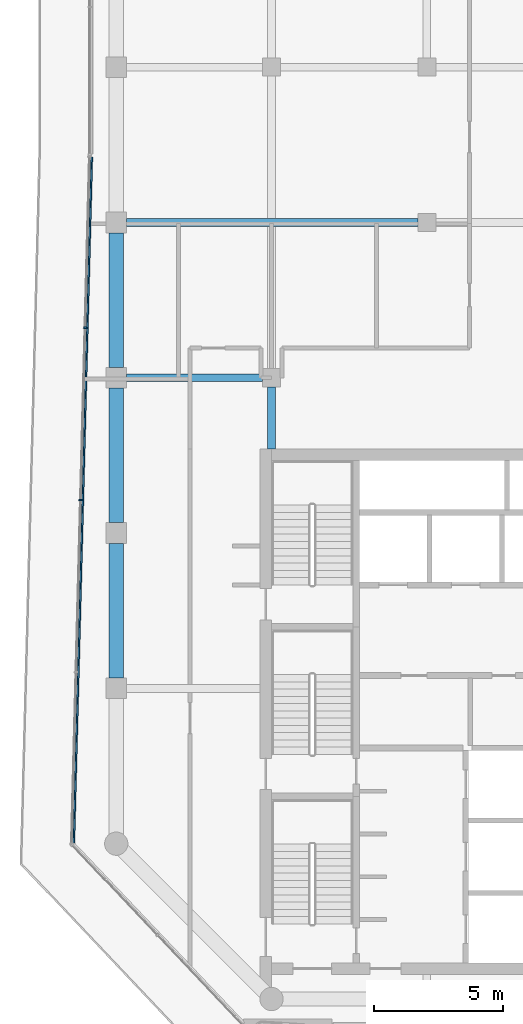
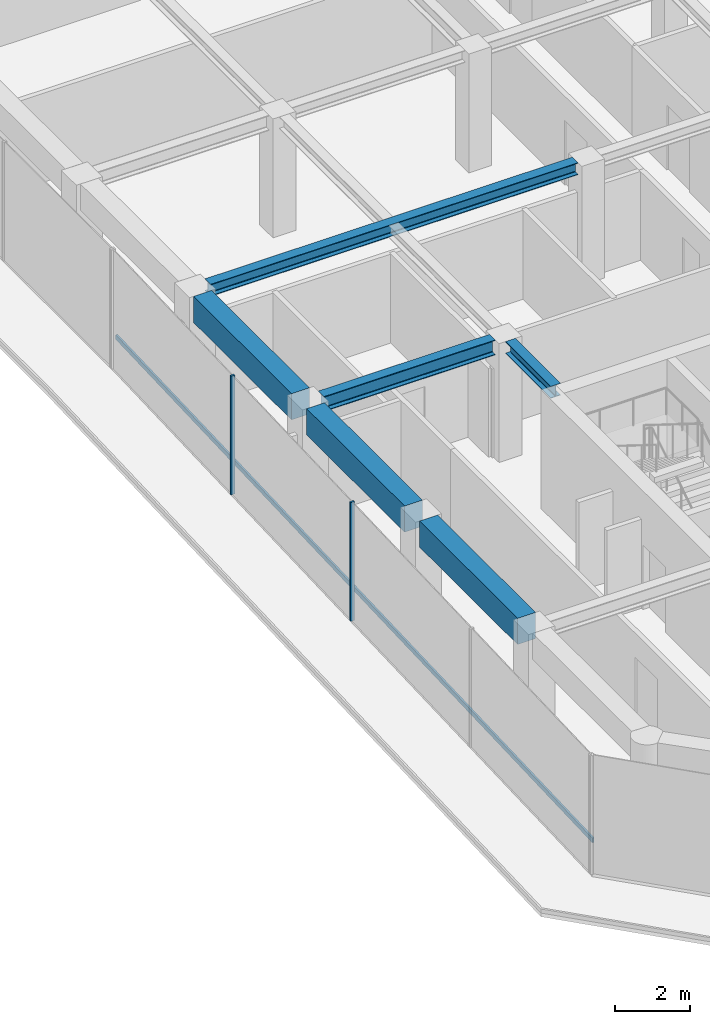
# One storey, part 4 of 19: 6 beams, 3 members, 1 element without a shape of its own.
"""IFC4 building model written with IfcOpenShell, lengths in metres."""

from ifc_helpers import new_model, si_unit, direction, frame, origin, origin_2d, place, context, subcontext, project, spatial, rectangle, i_section, extrude, material, layer, layer_set, material_profile, profile_set, type_object, element, aggregate, save


model = new_model("IFC4")

# Units and contexts
model_context = context("Model", 3, precision=1e-05, world=origin(), true_north=direction((0.0, 1.0)))
body_context = subcontext(model_context, "Body", "Model", "MODEL_VIEW")
ifc_project = project(units=[si_unit("LENGTHUNIT", "METRE"), si_unit("AREAUNIT", "SQUARE_METRE"), si_unit("VOLUMEUNIT", "CUBIC_METRE"), si_unit("PLANEANGLEUNIT", "RADIAN"), si_unit("MASSUNIT", "GRAM", prefix="KILO")], contexts=[model_context])

# Site, building, storey
site_placement = place(None, origin())
site = spatial("IfcSite", under=ifc_project, at=site_placement, CompositionType="ELEMENT")
building_placement = place(site_placement, origin())
building = spatial("IfcBuilding", under=site, at=building_placement, Name="Welwitschia Terrace Campus", CompositionType="ELEMENT")
storey_placement = place(building_placement, frame((0.0, 0.0, 234.800048828125)))
storey = spatial("IfcBuildingStorey", under=building, at=storey_placement, Name="L52", CompositionType="ELEMENT", Elevation=234.800048828125)

# Beams
ifc_material_1 = material(Name="Steel S355", Category="steel")
ifc_material_profile_1 = material_profile(ifc_material_1, i_section(OverallWidth=0.300048828125, OverallDepth=0.389892578125, WebThickness=0.010986328125, FlangeThickness=0.01904296875, FilletRadius=0.027099609375, at=origin_2d()))
ifc_profile_set_1 = profile_set([ifc_material_profile_1], Name="Steel S355")
beam_type_1 = type_object("IfcBeamType", Name="Interior girder HE 400 A", PredefinedType="BEAM", material=ifc_profile_set_1)
beam_1_placement = place(storey_placement, frame((0.390380859375, 34.0, 3.655029296875), z_axis=(1.0, 0.0, 0.0), x_axis=(0.0, 1.0, 0.0)))
element("IfcBeam", 1, at=beam_1_placement, inside=storey, type_object=beam_type_1, Name="Girder GB5", PredefinedType="BEAM", context=body_context, shape_type="SweptSolid", body=[
    extrude(i_section(OverallWidth=0.300048828125, OverallDepth=0.389892578125, WebThickness=0.010986328125, FlangeThickness=0.01904296875, FilletRadius=0.027099609375, at=origin_2d()), origin(), (0.0, 0.0, 1.0), 11.259033203125),
])
beam_2_placement = place(storey_placement, frame((6.0, 25.2509765625, 3.655029296875), z_axis=(0.0, 1.0, 0.0), x_axis=(-1.0, 0.0, 0.0)))
element("IfcBeam", 2, at=beam_2_placement, inside=storey, type_object=beam_type_1, Name="Girder GB5", PredefinedType="BEAM", context=body_context, shape_type="SweptSolid", body=[
    extrude(i_section(OverallWidth=0.300048828125, OverallDepth=0.389892578125, WebThickness=0.010986328125, FlangeThickness=0.01904296875, FilletRadius=0.027099609375, at=origin_2d()), origin(), (0.0, 0.0, 1.0), 2.3984375),
])

# Curtain wall, members
ifc_material_2 = material(Name="Bronze anodised aluminium", Category="aluminium")
ifc_layer = layer(ifc_material_2, 0.1201171875)
ifc_layer_set = layer_set([ifc_layer], Name="Bronze anodised aluminium")
curtain_wall_type = type_object("IfcCurtainWallType", Name="Curtain wall CW2 tower 6000", PredefinedType="NOTDEFINED", material=ifc_layer_set)
curtain_wall_placement = place(storey_placement, origin())
curtain_wall = element("IfcCurtainWall", 3, at=curtain_wall_placement, inside=storey, type_object=curtain_wall_type, Name="CW L52.1.0", PredefinedType="NOTDEFINED")
ifc_material_3 = material(Name="Bronze anodised aluminium", Category="aluminium")
ifc_material_profile_2 = material_profile(ifc_material_3, rectangle(XDim=0.1201171875, YDim=0.06005859375, at=origin_2d()))
ifc_profile_set_2 = profile_set([ifc_material_profile_2], Name="Bronze anodised aluminium")
member_type_1 = type_object("IfcMemberType", Name="Mullion 60x120", PredefinedType="MULLION", material=ifc_profile_set_2)
member_1_placement = place(storey_placement, frame((-1.2041015625, 29.93212890625, 0.0), z_axis=(0.0, 0.0, 1.0), x_axis=(0.999657324976, -0.026176948308, 0.0)))
member_1 = element("IfcMember", 4, at=member_1_placement, type_object=member_type_1, Name="Mullion L52.1.0.1", PredefinedType="MULLION", context=body_context, shape_type="SweptSolid", body=[
    extrude(rectangle(XDim=0.1201171875, YDim=0.06005859375, at=origin_2d()), origin(), (0.0, 0.0, 1.0), 3.849853515625),
])
member_2_placement = place(storey_placement, frame((-1.37841796875, 23.27978515625, 0.0), z_axis=(0.0, 0.0, 1.0), x_axis=(0.999657324976, -0.026176948308, 0.0)))
member_2 = element("IfcMember", 5, at=member_2_placement, type_object=member_type_1, Name="Mullion L52.1.0.2", PredefinedType="MULLION", context=body_context, shape_type="SweptSolid", body=[
    extrude(rectangle(XDim=0.1201171875, YDim=0.06005859375, at=origin_2d()), origin(), (0.0, 0.0, 1.0), 3.849853515625),
])

# Beams
ifc_material_4 = material(Name="Steel S355", Category="steel")
ifc_material_profile_3 = material_profile(ifc_material_4, i_section(OverallWidth=0.300048828125, OverallDepth=0.489990234375, WebThickness=0.011962890625, FlangeThickness=0.02294921875, FilletRadius=0.027099609375, at=origin_2d()))
ifc_profile_set_3 = profile_set([ifc_material_profile_3], Name="Steel S355")
beam_type_2 = type_object("IfcBeamType", Name="Primary beam HE 500 A", PredefinedType="BEAM", material=ifc_profile_set_3)
beam_3_placement = place(storey_placement, frame((0.400390625, 28.0, 3.60498046875), z_axis=(1.0, 0.0, 0.0), x_axis=(0.0, 1.0, 0.0)))
element("IfcBeam", 6, at=beam_3_placement, inside=storey, type_object=beam_type_2, Name="Primary beam PB5", PredefinedType="BEAM", context=body_context, shape_type="SweptSolid", body=[
    extrude(i_section(OverallWidth=0.300048828125, OverallDepth=0.489990234375, WebThickness=0.011962890625, FlangeThickness=0.02294921875, FilletRadius=0.027099609375, at=origin_2d()), origin(), (0.0, 0.0, 1.0), 5.2490234375),
])
ifc_material_5 = material(Name="Concrete C50/60", Category="concrete")
ifc_material_profile_4 = material_profile(ifc_material_5, rectangle(XDim=0.550048828125, YDim=0.85009765625, at=origin_2d()))
ifc_profile_set_4 = profile_set([ifc_material_profile_4], Name="Concrete C50/60")
beam_type_3 = type_object("IfcBeamType", Name="Ring spandrel 550x850", PredefinedType="SPANDREL", material=ifc_profile_set_4)
for number, where, z_axis, x_axis, name in (
    (7, (0.0, 33.599609375, 3.425048828125), (0.0, -1.0, 0.0), (1.0, 0.0, 0.0), "Spandrel SP3"),
    (8, (0.0, 27.599609375, 3.425048828125), (0.0, -1.0, 0.0), (1.0, 0.0, 0.0), "Spandrel SP3"),
    (9, (0.0, 21.599609375, 3.425048828125), (0.0, -1.0, 0.0), (1.0, 0.0, 0.0), "Spandrel SP3"),
):
    element("IfcBeam", number, at=place(storey_placement, frame(where, z_axis=z_axis, x_axis=x_axis)), inside=storey, type_object=beam_type_3, Name=name, PredefinedType="SPANDREL", context=body_context, shape_type="SweptSolid", body=[
        extrude(rectangle(XDim=0.550048828125, YDim=0.85009765625, at=origin_2d()), origin(), (0.0, 0.0, 1.0), 5.19921875),
    ])

# Member
ifc_material_6 = material(Name="Bronze anodised aluminium", Category="aluminium")
ifc_material_profile_5 = material_profile(ifc_material_6, rectangle(XDim=0.06005859375, YDim=0.14990234375, at=origin_2d()))
ifc_profile_set_5 = profile_set([ifc_material_profile_5], Name="Bronze anodised aluminium")
member_type_2 = type_object("IfcMemberType", Name="Transom 60x150", PredefinedType="USERDEFINED", material=ifc_profile_set_5)
member_3_placement = place(storey_placement, frame((-0.941650390625, 36.522216796875, 1.0), z_axis=(-0.02617536017, -0.999657366561, 0.0), x_axis=(0.999657366561, -0.02617536017, 0.0)))
member_3 = element("IfcMember", 10, at=member_3_placement, type_object=member_type_2, Name="Transom L52.1.0", ObjectType="TRANSOM", PredefinedType="USERDEFINED", context=body_context, shape_type="SweptSolid", body=[
    extrude(rectangle(XDim=0.06005859375, YDim=0.14990234375, at=origin_2d()), origin(), (0.0, 0.0, 1.0), 26.498291015625),
])

aggregate(curtain_wall, [member_1, member_2, member_3])

save(model, "model.ifc")
